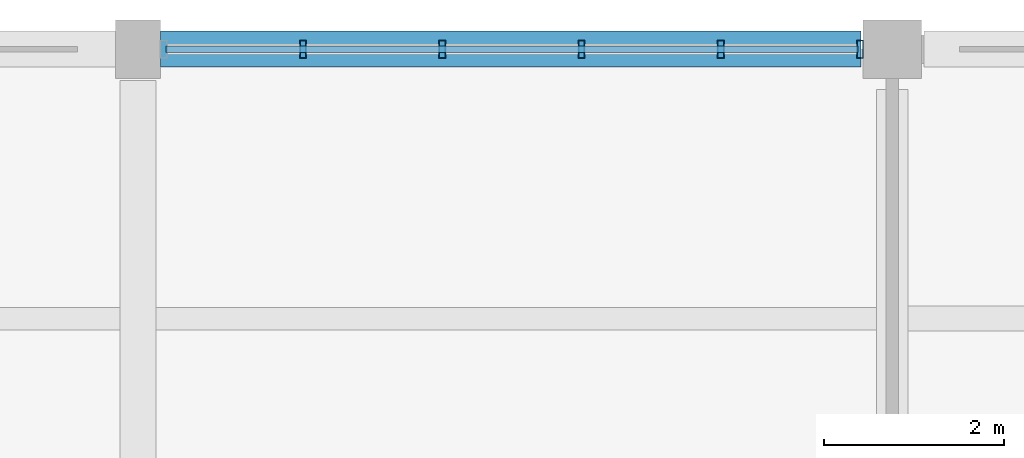
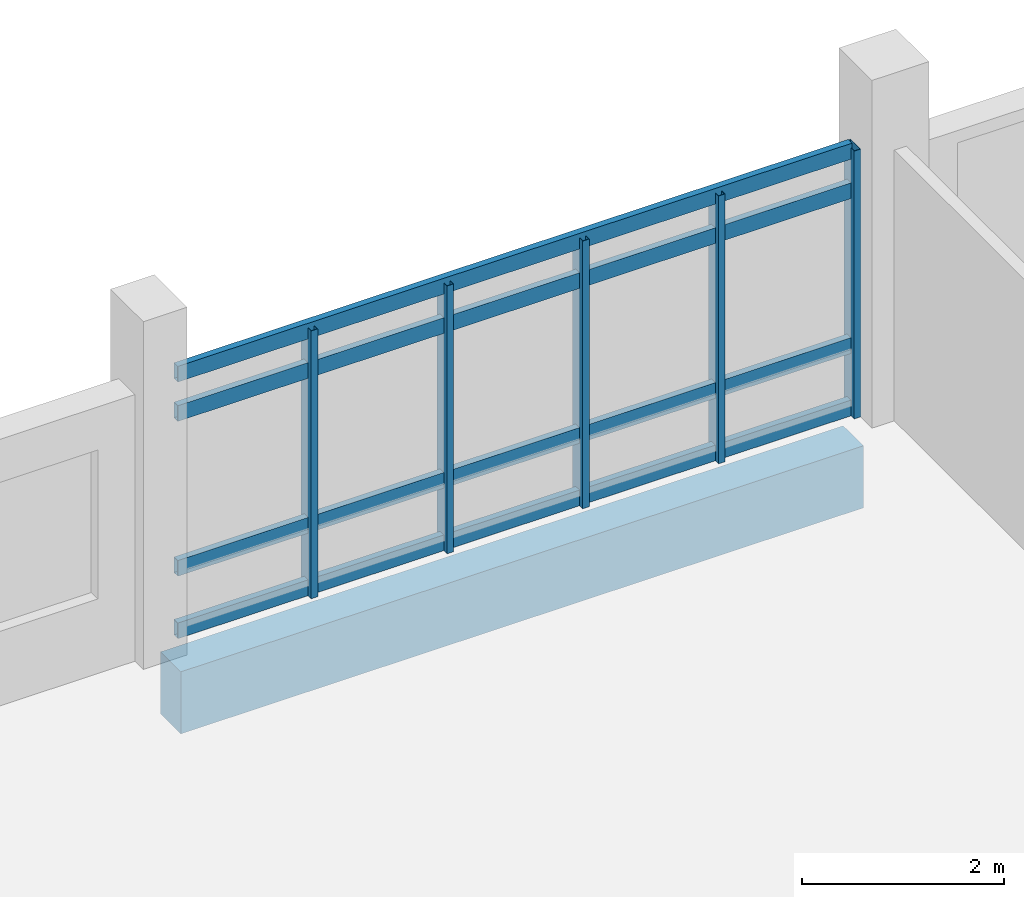
# One storey, part 62 of 101: 9 members, 1 beam, 1 element without a shape of its own.
"""IFC4 building model written with IfcOpenShell, lengths in metres."""

from ifc_helpers import new_model, si_unit, direction, frame, origin, origin_2d, place, context, subcontext, project, spatial, rectangle, hollow_rectangle, extrude, material, layer, layer_set, material_profile, profile_set, type_object, element, aggregate, save


model = new_model("IFC4")

# Units and contexts
model_context = context("Model", 3, precision=1e-05, world=origin(), true_north=direction((0.0, 1.0)))
body_context = subcontext(model_context, "Body", "Model", "MODEL_VIEW")
ifc_project = project(units=[si_unit("LENGTHUNIT", "METRE"), si_unit("AREAUNIT", "SQUARE_METRE"), si_unit("VOLUMEUNIT", "CUBIC_METRE"), si_unit("PLANEANGLEUNIT", "RADIAN"), si_unit("MASSUNIT", "GRAM", prefix="KILO")], contexts=[model_context])

# Site, building, storey
site_placement = place(None, origin())
site = spatial("IfcSite", under=ifc_project, at=site_placement, CompositionType="ELEMENT")
building_placement = place(site_placement, origin())
building = spatial("IfcBuilding", under=site, at=building_placement, Name="Vireocrest Preparatory School", CompositionType="ELEMENT")
storey_placement = place(building_placement, frame((0.0, 0.0, 4.800048828125)))
storey = spatial("IfcBuildingStorey", under=building, at=storey_placement, Name="L01", CompositionType="ELEMENT", Elevation=4.800048828125)

# Curtain wall, members
ifc_material_1 = material(Name="Thermally broken aluminium EN AW-6063-T6", Category="aluminium")
ifc_layer = layer(ifc_material_1, 0.179931640625)
ifc_layer_set = layer_set([ifc_layer], Name="Thermally broken aluminium EN AW-6063-T6")
curtain_wall_type = type_object("IfcCurtainWallType", Name="North Street Curtain Wall 8400x4000", PredefinedType="USERDEFINED", material=ifc_layer_set)
curtain_wall_placement = place(storey_placement, origin())
curtain_wall = element("IfcCurtainWall", 1, at=curtain_wall_placement, inside=storey, type_object=curtain_wall_type, Name="Curtain Wall CW05 CW_L01_CW05_0842_1128_048", ObjectType="CURTAIN WALL", PredefinedType="USERDEFINED")
ifc_material_profile_1 = material_profile(ifc_material_1, hollow_rectangle(XDim=0.074951171875, YDim=0.199951171875, WallThickness=0.0048828125, at=origin_2d()), Name="ALU 75x200x5")
ifc_profile_set_1 = profile_set([ifc_material_profile_1], Name="Thermally broken aluminium EN AW-6063-T6")
member_type_1 = type_object("IfcMemberType", Name="CW Mullion 75x200x5", PredefinedType="MULLION", material=ifc_profile_set_1)
member_1_placement = place(storey_placement, frame((85.8359375, 112.800048828125, 0.0), z_axis=(0.0, 0.0, 1.0), x_axis=(1.0, 0.0, 0.0)))
member_1 = element("IfcMember", 2, at=member_1_placement, type_object=member_type_1, Name="CW Mullion ML3 CW_L01_CW05_0842_1128_048-2", PredefinedType="MULLION", context=body_context, shape_type="SweptSolid", body=[
    extrude(hollow_rectangle(XDim=0.074951171875, YDim=0.199951171875, WallThickness=0.0048828125, at=origin_2d()), origin(), (0.0, 0.0, 1.0), 3.23486328125),
])
member_2_placement = place(storey_placement, frame((87.386962890625, 112.800048828125, 0.0), z_axis=(0.0, 0.0, 1.0), x_axis=(1.0, 0.0, 0.0)))
member_2 = element("IfcMember", 3, at=member_2_placement, type_object=member_type_1, Name="CW Mullion ML3 CW_L01_CW05_0842_1128_048-3", PredefinedType="MULLION", context=body_context, shape_type="SweptSolid", body=[
    extrude(hollow_rectangle(XDim=0.074951171875, YDim=0.199951171875, WallThickness=0.0048828125, at=origin_2d()), origin(), (0.0, 0.0, 1.0), 3.23486328125),
])
member_3_placement = place(storey_placement, frame((88.93798828125, 112.800048828125, 0.0), z_axis=(0.0, 0.0, 1.0), x_axis=(1.0, 0.0, 0.0)))
member_3 = element("IfcMember", 4, at=member_3_placement, type_object=member_type_1, Name="CW Mullion ML3 CW_L01_CW05_0842_1128_048-4", PredefinedType="MULLION", context=body_context, shape_type="SweptSolid", body=[
    extrude(hollow_rectangle(XDim=0.074951171875, YDim=0.199951171875, WallThickness=0.0048828125, at=origin_2d()), origin(), (0.0, 0.0, 1.0), 3.23486328125),
])
member_4_placement = place(storey_placement, frame((90.489013671875, 112.800048828125, 0.0), z_axis=(0.0, 0.0, 1.0), x_axis=(1.0, 0.0, 0.0)))
member_4 = element("IfcMember", 5, at=member_4_placement, type_object=member_type_1, Name="CW Mullion ML3 CW_L01_CW05_0842_1128_048-5", PredefinedType="MULLION", context=body_context, shape_type="SweptSolid", body=[
    extrude(hollow_rectangle(XDim=0.074951171875, YDim=0.199951171875, WallThickness=0.0048828125, at=origin_2d()), origin(), (0.0, 0.0, 1.0), 3.23486328125),
])
member_5_placement = place(storey_placement, frame((92.0400390625, 112.800048828125, 0.0), z_axis=(0.0, 0.0, 1.0), x_axis=(1.0, 0.0, 0.0)))
member_5 = element("IfcMember", 6, at=member_5_placement, type_object=member_type_1, Name="CW Mullion ML3 CW_L01_CW05_0842_1128_048-6", PredefinedType="MULLION", context=body_context, shape_type="SweptSolid", body=[
    extrude(hollow_rectangle(XDim=0.074951171875, YDim=0.199951171875, WallThickness=0.0048828125, at=origin_2d()), origin(), (0.0, 0.0, 1.0), 3.23486328125),
])
ifc_material_profile_2 = material_profile(ifc_material_1, hollow_rectangle(XDim=0.074951171875, YDim=0.18994140625, WallThickness=0.00390625, at=origin_2d()), Name="ALU 75x190x4")
ifc_profile_set_2 = profile_set([ifc_material_profile_2], Name="Thermally broken aluminium EN AW-6063-T6")
member_type_2 = type_object("IfcMemberType", Name="CW Transom 75x190x4", PredefinedType="USERDEFINED", material=ifc_profile_set_2)
member_6_placement = place(storey_placement, frame((84.31005859375, 112.800048828125, 0.094970703125), z_axis=(1.0, 0.0, 0.0), x_axis=(0.0, 1.0, 0.0)))
member_6 = element("IfcMember", 7, at=member_6_placement, type_object=member_type_2, Name="CW Transom TR3 CW_L01_CW05_0842_1128_048-1", ObjectType="TRANSOM", PredefinedType="USERDEFINED", context=body_context, shape_type="SweptSolid", body=[
    extrude(hollow_rectangle(XDim=0.074951171875, YDim=0.18994140625, WallThickness=0.00390625, at=origin_2d()), origin(), (0.0, 0.0, 1.0), 7.704833984375),
])
member_7_placement = place(storey_placement, frame((84.31005859375, 112.800048828125, 0.849853515625), z_axis=(1.0, 0.0, 0.0), x_axis=(0.0, 1.0, 0.0)))
member_7 = element("IfcMember", 8, at=member_7_placement, type_object=member_type_2, Name="CW Transom TR3 CW_L01_CW05_0842_1128_048-2", ObjectType="TRANSOM", PredefinedType="USERDEFINED", context=body_context, shape_type="SweptSolid", body=[
    extrude(hollow_rectangle(XDim=0.074951171875, YDim=0.18994140625, WallThickness=0.00390625, at=origin_2d()), origin(), (0.0, 0.0, 1.0), 7.704833984375),
])
member_8_placement = place(storey_placement, frame((84.31005859375, 112.800048828125, 2.719970703125), z_axis=(1.0, 0.0, 0.0), x_axis=(0.0, 1.0, 0.0)))
member_8 = element("IfcMember", 9, at=member_8_placement, type_object=member_type_2, Name="CW Transom TR3 CW_L01_CW05_0842_1128_048-3", ObjectType="TRANSOM", PredefinedType="USERDEFINED", context=body_context, shape_type="SweptSolid", body=[
    extrude(hollow_rectangle(XDim=0.074951171875, YDim=0.18994140625, WallThickness=0.00390625, at=origin_2d()), origin(), (0.0, 0.0, 1.0), 7.704833984375),
])
member_9_placement = place(storey_placement, frame((84.31005859375, 112.800048828125, 3.195068359375), z_axis=(1.0, 0.0, 0.0), x_axis=(0.0, 1.0, 0.0)))
member_9 = element("IfcMember", 10, at=member_9_placement, type_object=member_type_2, Name="CW Transom TR3 CW_L01_CW05_0842_1128_048-4", ObjectType="TRANSOM", PredefinedType="USERDEFINED", context=body_context, shape_type="SweptSolid", body=[
    extrude(hollow_rectangle(XDim=0.074951171875, YDim=0.18994140625, WallThickness=0.00390625, at=origin_2d()), origin(), (0.0, 0.0, 1.0), 7.704833984375),
])
aggregate(curtain_wall, [member_1, member_2, member_3, member_4, member_5, member_6, member_7, member_8, member_9])

# Beam
ifc_material_2 = material(Name="Concrete 40 MPa", Category="concrete")
ifc_material_profile_3 = material_profile(ifc_material_2, rectangle(XDim=0.39990234375, YDim=0.75, at=origin_2d()), Name="RC 400x750")
ifc_profile_set_3 = profile_set([ifc_material_profile_3], Name="Concrete 40 MPa")
beam_type = type_object("IfcBeamType", Name="RC Commons Girder 400x750", PredefinedType="BEAM", material=ifc_profile_set_3)
beam_placement = place(storey_placement, frame((84.25, 112.800048828125, -0.655029296875), z_axis=(1.0, 0.0, 0.0), x_axis=(0.0, 1.0, 0.0)))
element("IfcBeam", 11, at=beam_placement, inside=storey, type_object=beam_type, Name="Primary Girder B09 L01-0367", PredefinedType="BEAM", context=body_context, shape_type="SweptSolid", body=[
    extrude(rectangle(XDim=0.39990234375, YDim=0.75, at=origin_2d()), origin(), (0.0, 0.0, 1.0), 7.800048828125),
])

save(model, "model.ifc")
